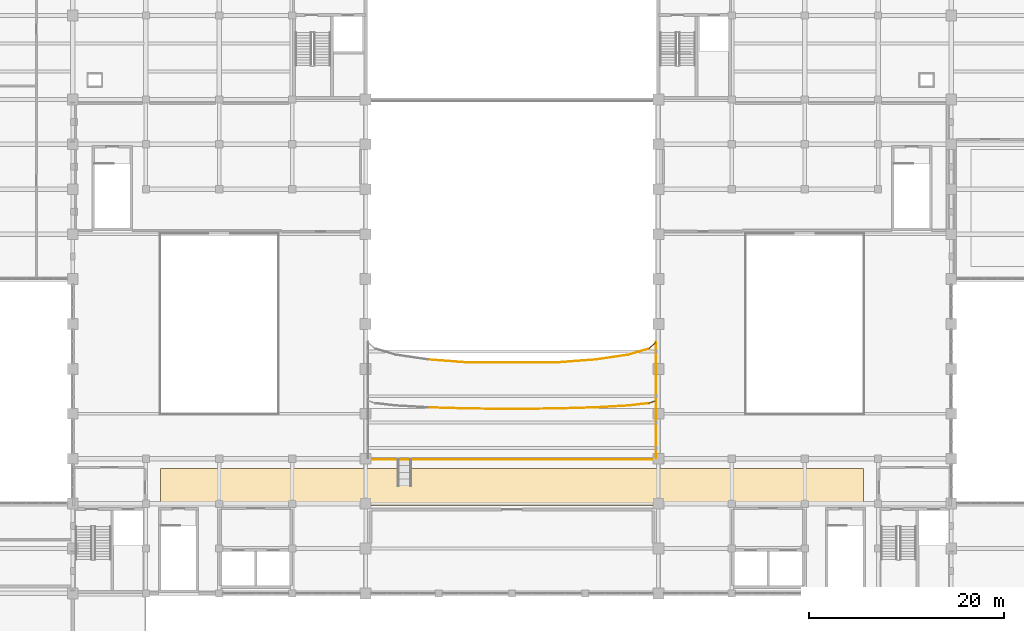
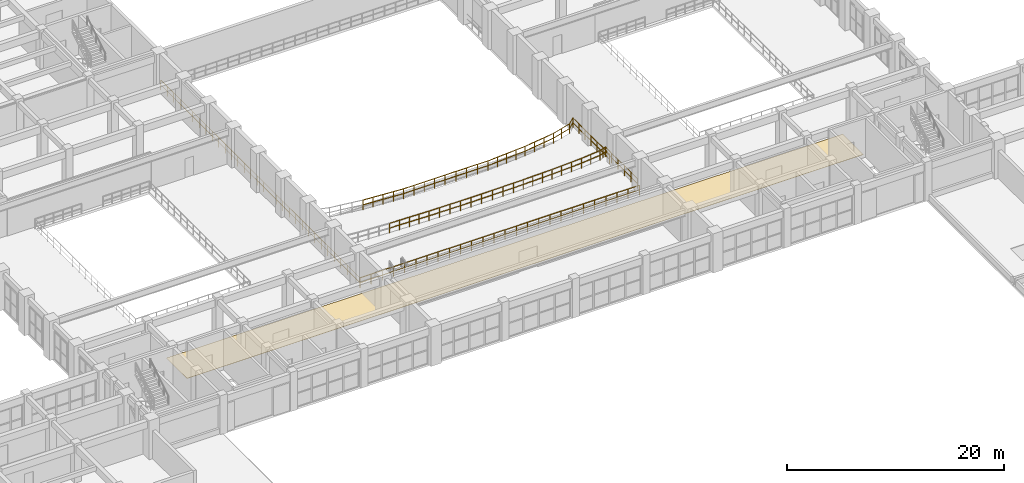
# One storey, part 85 of 90: 18 railings, 1 covering.
"""IFC4 building model written with IfcOpenShell, lengths in metres."""

import ifcopenshell
import ifcopenshell.guid

model = None  # the IFC model being written
_history = None  # IfcOwnerHistory: only IFC2X3 demands one
_inside = {}  # id of a spatial element -> (the spatial element, [elements in it])
_under = {}  # id of a project, library or spatial element -> (it, [spatial elements below it])
_declared = {}  # id of a project -> (the project, [libraries it declares])
_typed = {}  # id of a type object -> (the type object, [elements of that type])
_made_of = {}  # id of a material, layer set ... -> (it, [elements and type objects made of it])


def new_model(schema):
    """Start an empty IFC model of exactly this schema.

    Asked for "IFC4X3", IfcOpenShell would pick the latest addendum, in which some entities
    have other attributes; the version numbers below select the first issue.
    IFC2X3 requires an IfcOwnerHistory on every rooted entity: one is made here for all.
    """
    global model, _history
    if schema == "IFC4X3":
        model = ifcopenshell.file(schema_version=(4, 3, 0, 0))
    else:
        model = ifcopenshell.file(schema=schema)
    _inside.clear()
    _under.clear()
    _declared.clear()
    _typed.clear()
    _made_of.clear()
    _history = None
    if model.schema == "IFC2X3":
        org = make("IfcOrganization", Name="unknown")
        user = make(
            "IfcPersonAndOrganization",
            ThePerson=make("IfcPerson", FamilyName="unknown"),
            TheOrganization=org,
        )
        app = make(
            "IfcApplication",
            ApplicationDeveloper=org,
            Version="unknown",
            ApplicationFullName="unknown",
            ApplicationIdentifier="unknown",
        )
        _history = make(
            "IfcOwnerHistory",
            OwningUser=user,
            OwningApplication=app,
            ChangeAction="ADDED",
            CreationDate=0,
        )
    return model


def make(cls, **values):
    """One entity of the class cls with the attributes given. An attribute that is None is left unset."""
    return model.create_entity(
        cls, **{name: value for name, value in values.items() if value is not None}
    )


def rooted(cls, **values):
    """An entity with a GlobalId (a new one), such as an element, a storey or a relation."""
    return make(cls, GlobalId=ifcopenshell.guid.new(), OwnerHistory=_history, **values)


def si_unit(unit_type, name, prefix=None):
    """IfcSIUnit, for example si_unit("LENGTHUNIT", "METRE", prefix="MILLI")."""
    return make("IfcSIUnit", UnitType=unit_type, Prefix=prefix, Name=name)


def assignment(units):
    """IfcUnitAssignment: the units of a project."""
    return None if units is None else make("IfcUnitAssignment", Units=units)


def point(xyz):
    """IfcCartesianPoint."""
    return None if xyz is None else make("IfcCartesianPoint", Coordinates=xyz)


def direction(xyz):
    """IfcDirection."""
    return None if xyz is None else make("IfcDirection", DirectionRatios=xyz)


def frame(location, z_axis=None, x_axis=None):
    """IfcAxis2Placement3D, a coordinate frame: its origin and axes. An axis left out is left unset."""
    return make(
        "IfcAxis2Placement3D",
        Location=point(location),
        Axis=direction(z_axis),
        RefDirection=direction(x_axis),
    )


def frame_2d(location, x_axis=None):
    """IfcAxis2Placement2D, a coordinate frame in the plane: its origin and x axis."""
    return make(
        "IfcAxis2Placement2D", Location=point(location), RefDirection=direction(x_axis)
    )


def origin():
    """The frame at (0, 0, 0) with its axes left unset."""
    return frame((0.0, 0.0, 0.0))


def origin_2d():
    """The frame at (0, 0) in the plane with its x axis left unset."""
    return frame_2d((0.0, 0.0))


def place(relative_to, where):
    """IfcLocalPlacement: puts the frame where relative to a parent placement (None: the world)."""
    return make(
        "IfcLocalPlacement", PlacementRelTo=relative_to, RelativePlacement=where
    )


def context(
    kind, dimensions, precision=None, world=None, true_north=None, identifier=None
):
    """IfcGeometricRepresentationContext, for example the 3D "Model" context."""
    return make(
        "IfcGeometricRepresentationContext",
        ContextIdentifier=identifier,
        ContextType=kind,
        CoordinateSpaceDimension=dimensions,
        Precision=precision,
        WorldCoordinateSystem=world,
        TrueNorth=true_north,
    )


def subcontext(parent, identifier, kind, view, scale=None):
    """IfcGeometricRepresentationSubContext, for example "Body" below "Model"."""
    return make(
        "IfcGeometricRepresentationSubContext",
        ContextIdentifier=identifier,
        ContextType=kind,
        ParentContext=parent,
        TargetScale=scale,
        TargetView=view,
    )


def project(units=None, contexts=None):
    """IfcProject with its units and contexts."""
    return rooted(
        "IfcProject",
        Name="project",
        RepresentationContexts=contexts,
        UnitsInContext=assignment(units),
    )


def spatial(cls, under=None, at=None, **own):
    """A site, building, storey or space (cls), placed at a placement, below another one or the project."""
    s = rooted(cls, ObjectPlacement=at, **own)
    if under is not None:
        _under.setdefault(under.id(), (under, []))[1].append(s)
    return s


def polyline(points):
    """IfcPolyline through the points."""
    return make("IfcPolyline", Points=[point(p) for p in points])


def profile(cls, at=None, kind="AREA", **sizes):
    """A parametric profile (cls). Its sizes go by their IFC names, for example OverallWidth=200.0."""
    return make(cls, ProfileType=kind, Position=at, **sizes)


def circle(**sizes):
    """IfcCircleProfileDef."""
    return profile("IfcCircleProfileDef", **sizes)


def outline(outer, holes=None, kind="AREA"):
    """IfcArbitraryClosedProfileDef: a profile drawn as a closed curve; with holes, ...WithVoids."""
    if holes is None:
        return make("IfcArbitraryClosedProfileDef", ProfileType=kind, OuterCurve=outer)
    return make(
        "IfcArbitraryProfileDefWithVoids",
        ProfileType=kind,
        OuterCurve=outer,
        InnerCurves=holes,
    )


def extrude(swept, where, along, depth):
    """IfcExtrudedAreaSolid: the profile swept, set in the frame where, extruded along a direction by depth."""
    return make(
        "IfcExtrudedAreaSolid",
        SweptArea=swept,
        Position=where,
        ExtrudedDirection=direction(along),
        Depth=depth,
    )


def shape(context_of_items, identifier, shape_type, items):
    """IfcShapeRepresentation: the items that make up one representation, for example the "Body"."""
    return make(
        "IfcShapeRepresentation",
        ContextOfItems=context_of_items,
        RepresentationIdentifier=identifier,
        RepresentationType=shape_type,
        Items=items,
    )


def material(Name=None, Category=None):
    """IfcMaterial."""
    return make("IfcMaterial", Name=Name, Category=Category)


def layer(
    of_material, thickness, ventilated=None, Name=None, Category=None, Priority=None
):
    """IfcMaterialLayer: one layer of a wall or slab, of a material (None: an air gap)."""
    return make(
        "IfcMaterialLayer",
        Material=of_material,
        LayerThickness=thickness,
        IsVentilated=ventilated,
        Name=Name,
        Category=Category,
        Priority=Priority,
    )


def layer_set(layers, Name=None):
    """IfcMaterialLayerSet."""
    return make("IfcMaterialLayerSet", MaterialLayers=layers, LayerSetName=Name)


def made_of(thing, what):
    """Note that an element or type object is made of a material, layer set ...; save() writes the relation."""
    if what is not None:
        _made_of.setdefault(what.id(), (what, []))[1].append(thing)
    return thing


def type_object(cls, material=None, **own):
    """A type object (cls), such as IfcWallType, which elements share."""
    return made_of(rooted(cls, **own), material)


def element(
    cls,
    number,
    at=None,
    inside=None,
    cuts=None,
    type_object=None,
    material=None,
    context=None,
    identifier="Body",
    shape_type=None,
    held_by="IfcProductDefinitionShape",
    body=None,
    shapes=None,
    **own,
):
    """One element of the class cls, such as IfcWall. Its Tag is "e" and its number.

    at: its placement. inside: the storey or other place that contains it. cuts: it is an
    opening in that element (IfcRelVoidsElement). A single representation is given by context,
    identifier, shape_type and body (its items); several are given by shapes. held_by: the class
    of the entity that holds the representations. save() writes the other relations.
    """
    e = rooted(cls, Tag="e%d" % number, ObjectPlacement=at, **own)
    if body is not None:
        shapes = [shape(context, identifier, shape_type, body)]
    if shapes is not None:
        e.Representation = make(held_by, Representations=shapes)
    if inside is not None:
        _inside.setdefault(inside.id(), (inside, []))[1].append(e)
    if cuts is not None:
        rooted(
            "IfcRelVoidsElement", RelatingBuildingElement=cuts, RelatedOpeningElement=e
        )
    if type_object is not None:
        _typed.setdefault(type_object.id(), (type_object, []))[1].append(e)
    return made_of(e, material)


def aggregate(whole, parts):
    """IfcRelAggregates: a whole, such as a stair, and the parts it consists of."""
    return rooted("IfcRelAggregates", RelatingObject=whole, RelatedObjects=parts)


def save(model, path):
    """Write the relations noted so far, then the file.

    IfcRelAggregates (storeys below a building ...), IfcRelContainedInSpatialStructure (elements
    in a storey), IfcRelDefinesByType, IfcRelAssociatesMaterial and IfcRelDeclares: one each for
    every whole, place, type object, material and project.
    """
    for whole, parts in _under.values():
        aggregate(whole, parts)
    for where, things in _inside.values():
        rooted(
            "IfcRelContainedInSpatialStructure",
            RelatedElements=things,
            RelatingStructure=where,
        )
    for kind, things in _typed.values():
        rooted("IfcRelDefinesByType", RelatedObjects=things, RelatingType=kind)
    for what, things in _made_of.values():
        rooted("IfcRelAssociatesMaterial", RelatedObjects=things, RelatingMaterial=what)
    for by, libraries in _declared.values():
        rooted("IfcRelDeclares", RelatingContext=by, RelatedDefinitions=libraries)
    model.write(path)


model = new_model("IFC4")

# Units and contexts
model_context = context("Model", 3, precision=1e-05, world=origin(), true_north=direction((0.0, 1.0)))
body_context = subcontext(model_context, "Body", "Model", "MODEL_VIEW")
ifc_project = project(units=[si_unit("LENGTHUNIT", "METRE"), si_unit("AREAUNIT", "SQUARE_METRE"), si_unit("VOLUMEUNIT", "CUBIC_METRE"), si_unit("PLANEANGLEUNIT", "RADIAN"), si_unit("MASSUNIT", "GRAM", prefix="KILO")], contexts=[model_context])

# Site, building, storey
site_placement = place(None, origin())
site = spatial("IfcSite", under=ifc_project, at=site_placement, CompositionType="ELEMENT")
building_placement = place(site_placement, origin())
building = spatial("IfcBuilding", under=site, at=building_placement, Name="Muzn Square Opera House", CompositionType="ELEMENT")
storey_placement = place(building_placement, frame((0.0, 0.0, 9.800048828125)))
storey = spatial("IfcBuildingStorey", under=building, at=storey_placement, Name="L02", CompositionType="ELEMENT", Elevation=9.800048828125)

# Railings
ifc_material_1 = material(Name="Architectural bronze mashrabiya", Category="metal")
railing_type = type_object("IfcRailingType", Name="Bronze Protective Balustrade 1120mm", PredefinedType="BALUSTRADE", material=ifc_material_1)
railing_1_placement = place(storey_placement, frame((73.1298828125, 35.719970703125, 0.0)))
element("IfcRailing", 1, at=railing_1_placement, inside=storey, type_object=railing_type, Name="Void Edge Balustrade L02-0029", PredefinedType="BALUSTRADE", context=body_context, shape_type="SweptSolid", body=[
    extrude(circle(Radius=0.02392578125, at=origin_2d()), frame((0.0, 0.0, 1.09619140625), z_axis=(1.0, 0.0, 0.0), x_axis=(0.0, 1.0, 0.0)), (0.0, 0.0, 1.0), 29.740234375),
    extrude(circle(Radius=0.02392578125, at=origin_2d()), frame((0.0, 0.0, 0.56005859375), z_axis=(1.0, 0.0, 0.0), x_axis=(0.0, 1.0, 0.0)), (0.0, 0.0, 1.0), 29.740234375),
    extrude(circle(Radius=0.02099609375, at=origin_2d()), origin(), (0.0, 0.0, 1.0), 1.072021484375),
    extrude(circle(Radius=0.02099609375, at=origin_2d()), frame((1.189697265625, 0.0, 0.0)), (0.0, 0.0, 1.0), 1.072021484375),
    extrude(circle(Radius=0.02099609375, at=origin_2d()), frame((2.379150390625, 0.0, 0.0)), (0.0, 0.0, 1.0), 1.072021484375),
    extrude(circle(Radius=0.02099609375, at=origin_2d()), frame((3.56884765625, 0.0, 0.0)), (0.0, 0.0, 1.0), 1.072021484375),
    extrude(circle(Radius=0.02099609375, at=origin_2d()), frame((4.758544921875, 0.0, 0.0)), (0.0, 0.0, 1.0), 1.072021484375),
    extrude(circle(Radius=0.02099609375, at=origin_2d()), frame((5.947998046875, 0.0, 0.0)), (0.0, 0.0, 1.0), 1.072021484375),
    extrude(circle(Radius=0.02099609375, at=origin_2d()), frame((7.1376953125, 0.0, 0.0)), (0.0, 0.0, 1.0), 1.072021484375),
    extrude(circle(Radius=0.02099609375, at=origin_2d()), frame((8.3271484375, 0.0, 0.0)), (0.0, 0.0, 1.0), 1.072021484375),
    extrude(circle(Radius=0.02099609375, at=origin_2d()), frame((9.516845703125, 0.0, 0.0)), (0.0, 0.0, 1.0), 1.072021484375),
    extrude(circle(Radius=0.02099609375, at=origin_2d()), frame((10.70654296875, 0.0, 0.0)), (0.0, 0.0, 1.0), 1.072021484375),
    extrude(circle(Radius=0.02099609375, at=origin_2d()), frame((11.89599609375, 0.0, 0.0)), (0.0, 0.0, 1.0), 1.072021484375),
    extrude(circle(Radius=0.02099609375, at=origin_2d()), frame((13.085693359375, 0.0, 0.0)), (0.0, 0.0, 1.0), 1.072021484375),
    extrude(circle(Radius=0.02099609375, at=origin_2d()), frame((14.275390625, 0.0, 0.0)), (0.0, 0.0, 1.0), 1.072021484375),
    extrude(circle(Radius=0.02099609375, at=origin_2d()), frame((15.46484375, 0.0, 0.0)), (0.0, 0.0, 1.0), 1.072021484375),
    extrude(circle(Radius=0.02099609375, at=origin_2d()), frame((16.654541015625, 0.0, 0.0)), (0.0, 0.0, 1.0), 1.072021484375),
    extrude(circle(Radius=0.02099609375, at=origin_2d()), frame((17.84423828125, 0.0, 0.0)), (0.0, 0.0, 1.0), 1.072021484375),
    extrude(circle(Radius=0.02099609375, at=origin_2d()), frame((19.03369140625, 0.0, 0.0)), (0.0, 0.0, 1.0), 1.072021484375),
    extrude(circle(Radius=0.02099609375, at=origin_2d()), frame((20.223388671875, 0.0, 0.0)), (0.0, 0.0, 1.0), 1.072021484375),
    extrude(circle(Radius=0.02099609375, at=origin_2d()), frame((21.4130859375, 0.0, 0.0)), (0.0, 0.0, 1.0), 1.072021484375),
    extrude(circle(Radius=0.02099609375, at=origin_2d()), frame((22.6025390625, 0.0, 0.0)), (0.0, 0.0, 1.0), 1.072021484375),
    extrude(circle(Radius=0.02099609375, at=origin_2d()), frame((23.792236328125, 0.0, 0.0)), (0.0, 0.0, 1.0), 1.072021484375),
    extrude(circle(Radius=0.02099609375, at=origin_2d()), frame((24.981689453125, 0.0, 0.0)), (0.0, 0.0, 1.0), 1.072021484375),
    extrude(circle(Radius=0.02099609375, at=origin_2d()), frame((26.17138671875, 0.0, 0.0)), (0.0, 0.0, 1.0), 1.072021484375),
    extrude(circle(Radius=0.02099609375, at=origin_2d()), frame((27.361083984375, 0.0, 0.0)), (0.0, 0.0, 1.0), 1.072021484375),
    extrude(circle(Radius=0.02099609375, at=origin_2d()), frame((28.550537109375, 0.0, 0.0)), (0.0, 0.0, 1.0), 1.072021484375),
    extrude(circle(Radius=0.02099609375, at=origin_2d()), frame((29.740234375, 0.0, 0.0)), (0.0, 0.0, 1.0), 1.072021484375),
])
railing_2_placement = place(storey_placement, frame((73.1298828125, 72.429931640625, 0.0)))
element("IfcRailing", 2, at=railing_2_placement, inside=storey, type_object=railing_type, Name="Void Edge Balustrade L02-0032", PredefinedType="BALUSTRADE", context=body_context, shape_type="SweptSolid", body=[
    extrude(circle(Radius=0.02392578125, at=origin_2d()), frame((0.0, 0.0, 1.09619140625), z_axis=(0.0, -1.0, 0.0), x_axis=(1.0, 0.0, 0.0)), (0.0, 0.0, 1.0), 36.7099609375),
    extrude(circle(Radius=0.02392578125, at=origin_2d()), frame((0.0, 0.0, 0.56005859375), z_axis=(0.0, -1.0, 0.0), x_axis=(1.0, 0.0, 0.0)), (0.0, 0.0, 1.0), 36.7099609375),
    extrude(circle(Radius=0.02099609375, at=origin_2d()), origin(), (0.0, 0.0, 1.0), 1.072021484375),
    extrude(circle(Radius=0.02099609375, at=origin_2d()), frame((0.0, -1.18408203125, 0.0)), (0.0, 0.0, 1.0), 1.072021484375),
    extrude(circle(Radius=0.02099609375, at=origin_2d()), frame((0.0, -2.368408203125, 0.0)), (0.0, 0.0, 1.0), 1.072021484375),
    extrude(circle(Radius=0.02099609375, at=origin_2d()), frame((0.0, -3.552490234375, 0.0)), (0.0, 0.0, 1.0), 1.072021484375),
    extrude(circle(Radius=0.02099609375, at=origin_2d()), frame((0.0, -4.73681640625, 0.0)), (0.0, 0.0, 1.0), 1.072021484375),
    extrude(circle(Radius=0.02099609375, at=origin_2d()), frame((0.0, -5.9208984375, 0.0)), (0.0, 0.0, 1.0), 1.072021484375),
    extrude(circle(Radius=0.02099609375, at=origin_2d()), frame((0.0, -7.105224609375, 0.0)), (0.0, 0.0, 1.0), 1.072021484375),
    extrude(circle(Radius=0.02099609375, at=origin_2d()), frame((0.0, -8.289306640625, 0.0)), (0.0, 0.0, 1.0), 1.072021484375),
    extrude(circle(Radius=0.02099609375, at=origin_2d()), frame((0.0, -9.4736328125, 0.0)), (0.0, 0.0, 1.0), 1.072021484375),
    extrude(circle(Radius=0.02099609375, at=origin_2d()), frame((0.0, -10.65771484375, 0.0)), (0.0, 0.0, 1.0), 1.072021484375),
    extrude(circle(Radius=0.02099609375, at=origin_2d()), frame((0.0, -11.842041015625, 0.0)), (0.0, 0.0, 1.0), 1.072021484375),
    extrude(circle(Radius=0.02099609375, at=origin_2d()), frame((0.0, -13.026123046875, 0.0)), (0.0, 0.0, 1.0), 1.072021484375),
    extrude(circle(Radius=0.02099609375, at=origin_2d()), frame((0.0, -14.210205078125, 0.0)), (0.0, 0.0, 1.0), 1.072021484375),
    extrude(circle(Radius=0.02099609375, at=origin_2d()), frame((0.0, -15.39453125, 0.0)), (0.0, 0.0, 1.0), 1.072021484375),
    extrude(circle(Radius=0.02099609375, at=origin_2d()), frame((0.0, -16.57861328125, 0.0)), (0.0, 0.0, 1.0), 1.072021484375),
    extrude(circle(Radius=0.02099609375, at=origin_2d()), frame((0.0, -17.762939453125, 0.0)), (0.0, 0.0, 1.0), 1.072021484375),
    extrude(circle(Radius=0.02099609375, at=origin_2d()), frame((0.0, -18.947021484375, 0.0)), (0.0, 0.0, 1.0), 1.072021484375),
    extrude(circle(Radius=0.02099609375, at=origin_2d()), frame((0.0, -20.13134765625, 0.0)), (0.0, 0.0, 1.0), 1.072021484375),
    extrude(circle(Radius=0.02099609375, at=origin_2d()), frame((0.0, -21.3154296875, 0.0)), (0.0, 0.0, 1.0), 1.072021484375),
    extrude(circle(Radius=0.02099609375, at=origin_2d()), frame((0.0, -22.499755859375, 0.0)), (0.0, 0.0, 1.0), 1.072021484375),
    extrude(circle(Radius=0.02099609375, at=origin_2d()), frame((0.0, -23.683837890625, 0.0)), (0.0, 0.0, 1.0), 1.072021484375),
    extrude(circle(Radius=0.02099609375, at=origin_2d()), frame((0.0, -24.867919921875, 0.0)), (0.0, 0.0, 1.0), 1.072021484375),
    extrude(circle(Radius=0.02099609375, at=origin_2d()), frame((0.0, -26.05224609375, 0.0)), (0.0, 0.0, 1.0), 1.072021484375),
    extrude(circle(Radius=0.02099609375, at=origin_2d()), frame((0.0, -27.236328125, 0.0)), (0.0, 0.0, 1.0), 1.072021484375),
    extrude(circle(Radius=0.02099609375, at=origin_2d()), frame((0.0, -28.420654296875, 0.0)), (0.0, 0.0, 1.0), 1.072021484375),
    extrude(circle(Radius=0.02099609375, at=origin_2d()), frame((0.0, -29.604736328125, 0.0)), (0.0, 0.0, 1.0), 1.072021484375),
    extrude(circle(Radius=0.02099609375, at=origin_2d()), frame((0.0, -30.7890625, 0.0)), (0.0, 0.0, 1.0), 1.072021484375),
    extrude(circle(Radius=0.02099609375, at=origin_2d()), frame((0.0, -31.97314453125, 0.0)), (0.0, 0.0, 1.0), 1.072021484375),
    extrude(circle(Radius=0.02099609375, at=origin_2d()), frame((0.0, -33.157470703125, 0.0)), (0.0, 0.0, 1.0), 1.072021484375),
    extrude(circle(Radius=0.02099609375, at=origin_2d()), frame((0.0, -34.341552734375, 0.0)), (0.0, 0.0, 1.0), 1.072021484375),
    extrude(circle(Radius=0.02099609375, at=origin_2d()), frame((0.0, -35.52587890625, 0.0)), (0.0, 0.0, 1.0), 1.072021484375),
    extrude(circle(Radius=0.02099609375, at=origin_2d()), frame((0.0, -36.7099609375, 0.0)), (0.0, 0.0, 1.0), 1.072021484375),
])
railing_3_placement = place(storey_placement, frame((102.72998046875, 35.860107421875, 0.719970703125)))
element("IfcRailing", 3, at=railing_3_placement, inside=storey, type_object=railing_type, Name="Auditorium Balcony Tier Front Balustrade L02-0119", PredefinedType="BALUSTRADE", context=body_context, shape_type="SweptSolid", body=[
    extrude(circle(Radius=0.02392578125, at=origin_2d()), frame((0.0, 0.0, 1.09619140625), z_axis=(0.0, 1.0, 0.0), x_axis=(-1.0, 0.0, 0.0)), (0.0, 0.0, 1.0), 5.8798828125),
    extrude(circle(Radius=0.02392578125, at=origin_2d()), frame((0.0, 0.0, 0.56005859375), z_axis=(0.0, 1.0, 0.0), x_axis=(-1.0, 0.0, 0.0)), (0.0, 0.0, 1.0), 5.8798828125),
    extrude(circle(Radius=0.02099609375, at=origin_2d()), origin(), (0.0, 0.0, 1.0), 1.072021484375),
    extrude(circle(Radius=0.02099609375, at=origin_2d()), frame((0.0, 1.176025390625, 0.0)), (0.0, 0.0, 1.0), 1.072021484375),
    extrude(circle(Radius=0.02099609375, at=origin_2d()), frame((0.0, 2.35205078125, 0.0)), (0.0, 0.0, 1.0), 1.072021484375),
    extrude(circle(Radius=0.02099609375, at=origin_2d()), frame((0.0, 3.52783203125, 0.0)), (0.0, 0.0, 1.0), 1.072021484375),
    extrude(circle(Radius=0.02099609375, at=origin_2d()), frame((0.0, 4.703857421875, 0.0)), (0.0, 0.0, 1.0), 1.072021484375),
    extrude(circle(Radius=0.02099609375, at=origin_2d()), frame((0.0, 5.8798828125, 0.0)), (0.0, 0.0, 1.0), 1.072021484375),
])
railing_4_placement = place(storey_placement, frame((102.72998046875, 41.739990234375, 0.719970703125)))
element("IfcRailing", 4, at=railing_4_placement, inside=storey, type_object=railing_type, Name="Auditorium Balcony Tier Front Balustrade L02-0120", PredefinedType="BALUSTRADE", context=body_context, shape_type="SweptSolid", body=[
    extrude(circle(Radius=0.02392578125, at=origin_2d()), frame((0.0, 0.0, 1.09619140625), z_axis=(-0.940015382387, -0.341132057824, 0.0), x_axis=(0.341132057824, -0.940015382387, 0.0)), (0.0, 0.0, 1.0), 0.77001953125),
    extrude(circle(Radius=0.02392578125, at=origin_2d()), frame((0.0, 0.0, 0.56005859375), z_axis=(-0.940015382387, -0.341132057824, 0.0), x_axis=(0.341132057824, -0.940015382387, 0.0)), (0.0, 0.0, 1.0), 0.77001953125),
    extrude(circle(Radius=0.02099609375, at=origin_2d()), origin(), (0.0, 0.0, 1.0), 1.072021484375),
    extrude(circle(Radius=0.02099609375, at=origin_2d()), frame((-0.723876953125, -0.2626953125, 0.0)), (0.0, 0.0, 1.0), 1.072021484375),
])
railing_5_placement = place(storey_placement, frame((102.006103515625, 41.477294921875, 0.719970703125)))
element("IfcRailing", 5, at=railing_5_placement, inside=storey, type_object=railing_type, Name="Auditorium Balcony Tier Front Balustrade L02-0121", PredefinedType="BALUSTRADE", context=body_context, shape_type="SweptSolid", body=[
    extrude(circle(Radius=0.02392578125, at=origin_2d()), frame((0.0, 0.0, 1.09619140625), z_axis=(-0.99370498589, -0.112028572328, 0.0), x_axis=(0.112028572328, -0.99370498589, 0.0)), (0.0, 0.0, 1.0), 2.114013671875),
    extrude(circle(Radius=0.02392578125, at=origin_2d()), frame((0.0, 0.0, 0.56005859375), z_axis=(-0.99370498589, -0.112028572328, 0.0), x_axis=(0.112028572328, -0.99370498589, 0.0)), (0.0, 0.0, 1.0), 2.114013671875),
    extrude(circle(Radius=0.02099609375, at=origin_2d()), origin(), (0.0, 0.0, 1.0), 1.072021484375),
    extrude(circle(Radius=0.02099609375, at=origin_2d()), frame((-1.05029296875, -0.118408203125, 0.0)), (0.0, 0.0, 1.0), 1.072021484375),
    extrude(circle(Radius=0.02099609375, at=origin_2d()), frame((-2.1005859375, -0.23681640625, 0.0)), (0.0, 0.0, 1.0), 1.072021484375),
])
railing_6_placement = place(storey_placement, frame((99.905517578125, 41.240478515625, 0.719970703125)))
element("IfcRailing", 6, at=railing_6_placement, inside=storey, type_object=railing_type, Name="Auditorium Balcony Tier Front Balustrade L02-0122", PredefinedType="BALUSTRADE", context=body_context, shape_type="SweptSolid", body=[
    extrude(circle(Radius=0.02392578125, at=origin_2d()), frame((0.0, 0.0, 1.09619140625), z_axis=(-0.998349564614, -0.057429494465, 0.0), x_axis=(0.057429494465, -0.998349564614, 0.0)), (0.0, 0.0, 1.0), 3.277587890625),
    extrude(circle(Radius=0.02392578125, at=origin_2d()), frame((0.0, 0.0, 0.56005859375), z_axis=(-0.998349564614, -0.057429494465, 0.0), x_axis=(0.057429494465, -0.998349564614, 0.0)), (0.0, 0.0, 1.0), 3.277587890625),
    extrude(circle(Radius=0.02099609375, at=origin_2d()), origin(), (0.0, 0.0, 1.0), 1.072021484375),
    extrude(circle(Radius=0.02099609375, at=origin_2d()), frame((-1.0908203125, -0.062744140625, 0.0)), (0.0, 0.0, 1.0), 1.072021484375),
    extrude(circle(Radius=0.02099609375, at=origin_2d()), frame((-2.181396484375, -0.12548828125, 0.0)), (0.0, 0.0, 1.0), 1.072021484375),
    extrude(circle(Radius=0.02099609375, at=origin_2d()), frame((-3.272216796875, -0.188232421875, 0.0)), (0.0, 0.0, 1.0), 1.072021484375),
])
railing_7_placement = place(storey_placement, frame((96.63330078125, 41.05224609375, 0.719970703125)))
element("IfcRailing", 7, at=railing_7_placement, inside=storey, type_object=railing_type, Name="Auditorium Balcony Tier Front Balustrade L02-0123", PredefinedType="BALUSTRADE", context=body_context, shape_type="SweptSolid", body=[
    extrude(circle(Radius=0.02392578125, at=origin_2d()), frame((0.0, 0.0, 1.09619140625), z_axis=(-0.999572397468, -0.029240762974, 0.0), x_axis=(0.029240762974, -0.999572397468, 0.0)), (0.0, 0.0, 1.0), 4.12451171875),
    extrude(circle(Radius=0.02392578125, at=origin_2d()), frame((0.0, 0.0, 0.56005859375), z_axis=(-0.999572397468, -0.029240762974, 0.0), x_axis=(0.029240762974, -0.999572397468, 0.0)), (0.0, 0.0, 1.0), 4.12451171875),
    extrude(circle(Radius=0.02099609375, at=origin_2d()), origin(), (0.0, 0.0, 1.0), 1.072021484375),
    extrude(circle(Radius=0.02099609375, at=origin_2d()), frame((-1.03076171875, -0.0302734375, 0.0)), (0.0, 0.0, 1.0), 1.072021484375),
    extrude(circle(Radius=0.02099609375, at=origin_2d()), frame((-2.0615234375, -0.060302734375, 0.0)), (0.0, 0.0, 1.0), 1.072021484375),
    extrude(circle(Radius=0.02099609375, at=origin_2d()), frame((-3.092041015625, -0.09033203125, 0.0)), (0.0, 0.0, 1.0), 1.072021484375),
    extrude(circle(Radius=0.02099609375, at=origin_2d()), frame((-4.122802734375, -0.12060546875, 0.0)), (0.0, 0.0, 1.0), 1.072021484375),
])
railing_8_placement = place(storey_placement, frame((92.510498046875, 40.931640625, 0.719970703125)))
element("IfcRailing", 8, at=railing_8_placement, inside=storey, type_object=railing_type, Name="Auditorium Balcony Tier Front Balustrade L02-0124", PredefinedType="BALUSTRADE", context=body_context, shape_type="SweptSolid", body=[
    extrude(circle(Radius=0.02392578125, at=origin_2d()), frame((0.0, 0.0, 1.09619140625), z_axis=(-0.999958286468, -0.009133746434, 0.0), x_axis=(0.009133746434, -0.999958286468, 0.0)), (0.0, 0.0, 1.0), 4.57080078125),
    extrude(circle(Radius=0.02392578125, at=origin_2d()), frame((0.0, 0.0, 0.56005859375), z_axis=(-0.999958286468, -0.009133746434, 0.0), x_axis=(0.009133746434, -0.999958286468, 0.0)), (0.0, 0.0, 1.0), 4.57080078125),
    extrude(circle(Radius=0.02099609375, at=origin_2d()), origin(), (0.0, 0.0, 1.0), 1.072021484375),
    extrude(circle(Radius=0.02099609375, at=origin_2d()), frame((-1.142578125, -0.010498046875, 0.0)), (0.0, 0.0, 1.0), 1.072021484375),
    extrude(circle(Radius=0.02099609375, at=origin_2d()), frame((-2.28515625, -0.02099609375, 0.0)), (0.0, 0.0, 1.0), 1.072021484375),
    extrude(circle(Radius=0.02099609375, at=origin_2d()), frame((-3.427978515625, -0.03125, 0.0)), (0.0, 0.0, 1.0), 1.072021484375),
    extrude(circle(Radius=0.02099609375, at=origin_2d()), frame((-4.570556640625, -0.041748046875, 0.0)), (0.0, 0.0, 1.0), 1.072021484375),
])
railing_9_placement = place(storey_placement, frame((87.93994140625, 40.889892578125, 0.719970703125)))
element("IfcRailing", 9, at=railing_9_placement, inside=storey, type_object=railing_type, Name="Auditorium Balcony Tier Front Balustrade L02-0125", PredefinedType="BALUSTRADE", context=body_context, shape_type="SweptSolid", body=[
    extrude(circle(Radius=0.02392578125, at=origin_2d()), frame((0.0, 0.0, 1.09619140625), z_axis=(-0.999956004539, 0.009380244488, 0.0), x_axis=(-0.009380244488, -0.999956004539, 0.0)), (0.0, 0.0, 1.0), 4.45068359375),
    extrude(circle(Radius=0.02392578125, at=origin_2d()), frame((0.0, 0.0, 0.56005859375), z_axis=(-0.999956004539, 0.009380244488, 0.0), x_axis=(-0.009380244488, -0.999956004539, 0.0)), (0.0, 0.0, 1.0), 4.45068359375),
    extrude(circle(Radius=0.02099609375, at=origin_2d()), origin(), (0.0, 0.0, 1.0), 1.072021484375),
    extrude(circle(Radius=0.02099609375, at=origin_2d()), frame((-1.112548828125, 0.010498046875, 0.0)), (0.0, 0.0, 1.0), 1.072021484375),
    extrude(circle(Radius=0.02099609375, at=origin_2d()), frame((-2.22509765625, 0.02099609375, 0.0)), (0.0, 0.0, 1.0), 1.072021484375),
    extrude(circle(Radius=0.02099609375, at=origin_2d()), frame((-3.337890625, 0.03125, 0.0)), (0.0, 0.0, 1.0), 1.072021484375),
    extrude(circle(Radius=0.02099609375, at=origin_2d()), frame((-4.450439453125, 0.041748046875, 0.0)), (0.0, 0.0, 1.0), 1.072021484375),
])
railing_10_placement = place(storey_placement, frame((83.489501953125, 40.931640625, 0.719970703125)))
element("IfcRailing", 10, at=railing_10_placement, inside=storey, type_object=railing_type, Name="Auditorium Balcony Tier Front Balustrade L02-0126", PredefinedType="BALUSTRADE", context=body_context, shape_type="SweptSolid", body=[
    extrude(circle(Radius=0.02392578125, at=origin_2d()), frame((0.0, 0.0, 1.09619140625), z_axis=(-0.999572397468, 0.029240762974, 0.0), x_axis=(-0.029240762974, -0.999572397468, 0.0)), (0.0, 0.0, 1.0), 4.12451171875),
    extrude(circle(Radius=0.02392578125, at=origin_2d()), frame((0.0, 0.0, 0.56005859375), z_axis=(-0.999572397468, 0.029240762974, 0.0), x_axis=(-0.029240762974, -0.999572397468, 0.0)), (0.0, 0.0, 1.0), 4.12451171875),
    extrude(circle(Radius=0.02099609375, at=origin_2d()), origin(), (0.0, 0.0, 1.0), 1.072021484375),
    extrude(circle(Radius=0.02099609375, at=origin_2d()), frame((-1.03076171875, 0.0302734375, 0.0)), (0.0, 0.0, 1.0), 1.072021484375),
    extrude(circle(Radius=0.02099609375, at=origin_2d()), frame((-2.0615234375, 0.060302734375, 0.0)), (0.0, 0.0, 1.0), 1.072021484375),
    extrude(circle(Radius=0.02099609375, at=origin_2d()), frame((-3.092041015625, 0.09033203125, 0.0)), (0.0, 0.0, 1.0), 1.072021484375),
    extrude(circle(Radius=0.02099609375, at=origin_2d()), frame((-4.122802734375, 0.12060546875, 0.0)), (0.0, 0.0, 1.0), 1.072021484375),
])
railing_11_placement = place(storey_placement, frame((102.72998046875, 41.010009765625, 0.35986328125)))
element("IfcRailing", 11, at=railing_11_placement, inside=storey, type_object=railing_type, Name="Auditorium Balcony Tier Front Balustrade L02-0131", PredefinedType="BALUSTRADE", context=body_context, shape_type="SweptSolid", body=[
    extrude(circle(Radius=0.02392578125, at=origin_2d()), frame((0.0, 0.0, 1.09619140625), z_axis=(0.0, 1.0, 0.0), x_axis=(-1.0, 0.0, 0.0)), (0.0, 0.0, 1.0), 6.72998046875),
    extrude(circle(Radius=0.02392578125, at=origin_2d()), frame((0.0, 0.0, 0.56005859375), z_axis=(0.0, 1.0, 0.0), x_axis=(-1.0, 0.0, 0.0)), (0.0, 0.0, 1.0), 6.72998046875),
    extrude(circle(Radius=0.02099609375, at=origin_2d()), origin(), (0.0, 0.0, 1.0), 1.072021484375),
    extrude(circle(Radius=0.02099609375, at=origin_2d()), frame((0.0, 1.12158203125, 0.0)), (0.0, 0.0, 1.0), 1.072021484375),
    extrude(circle(Radius=0.02099609375, at=origin_2d()), frame((0.0, 2.243408203125, 0.0)), (0.0, 0.0, 1.0), 1.072021484375),
    extrude(circle(Radius=0.02099609375, at=origin_2d()), frame((0.0, 3.364990234375, 0.0)), (0.0, 0.0, 1.0), 1.072021484375),
    extrude(circle(Radius=0.02099609375, at=origin_2d()), frame((0.0, 4.486572265625, 0.0)), (0.0, 0.0, 1.0), 1.072021484375),
    extrude(circle(Radius=0.02099609375, at=origin_2d()), frame((0.0, 5.6083984375, 0.0)), (0.0, 0.0, 1.0), 1.072021484375),
    extrude(circle(Radius=0.02099609375, at=origin_2d()), frame((0.0, 6.72998046875, 0.0)), (0.0, 0.0, 1.0), 1.072021484375),
])
railing_12_placement = place(storey_placement, frame((102.72998046875, 47.739990234375, 0.35986328125)))
element("IfcRailing", 12, at=railing_12_placement, inside=storey, type_object=railing_type, Name="Auditorium Balcony Tier Front Balustrade L02-0132", PredefinedType="BALUSTRADE", context=body_context, shape_type="SweptSolid", body=[
    extrude(circle(Radius=0.02392578125, at=origin_2d()), frame((0.0, 0.0, 1.09619140625), z_axis=(-0.729007928433, -0.684505252195, 0.0), x_axis=(0.684505252195, -0.729007928433, 0.0)), (0.0, 0.0, 1.0), 0.992919921875),
    extrude(circle(Radius=0.02392578125, at=origin_2d()), frame((0.0, 0.0, 0.56005859375), z_axis=(-0.729007928433, -0.684505252195, 0.0), x_axis=(0.684505252195, -0.729007928433, 0.0)), (0.0, 0.0, 1.0), 0.992919921875),
    extrude(circle(Radius=0.02099609375, at=origin_2d()), origin(), (0.0, 0.0, 1.0), 1.072021484375),
    extrude(circle(Radius=0.02099609375, at=origin_2d()), frame((-0.723876953125, -0.6796875, 0.0)), (0.0, 0.0, 1.0), 1.072021484375),
])
railing_13_placement = place(storey_placement, frame((102.006103515625, 47.060302734375, 0.35986328125)))
element("IfcRailing", 13, at=railing_13_placement, inside=storey, type_object=railing_type, Name="Auditorium Balcony Tier Front Balustrade L02-0133", PredefinedType="BALUSTRADE", context=body_context, shape_type="SweptSolid", body=[
    extrude(circle(Radius=0.02392578125, at=origin_2d()), frame((0.0, 0.0, 1.09619140625), z_axis=(-0.959924992365, -0.280257041007, 0.0), x_axis=(0.280257041007, -0.959924992365, 0.0)), (0.0, 0.0, 1.0), 2.188232421875),
    extrude(circle(Radius=0.02392578125, at=origin_2d()), frame((0.0, 0.0, 0.56005859375), z_axis=(-0.959924992365, -0.280257041007, 0.0), x_axis=(0.280257041007, -0.959924992365, 0.0)), (0.0, 0.0, 1.0), 2.188232421875),
    extrude(circle(Radius=0.02099609375, at=origin_2d()), origin(), (0.0, 0.0, 1.0), 1.072021484375),
    extrude(circle(Radius=0.02099609375, at=origin_2d()), frame((-1.05029296875, -0.306640625, 0.0)), (0.0, 0.0, 1.0), 1.072021484375),
    extrude(circle(Radius=0.02099609375, at=origin_2d()), frame((-2.1005859375, -0.61328125, 0.0)), (0.0, 0.0, 1.0), 1.072021484375),
])
railing_14_placement = place(storey_placement, frame((99.905517578125, 46.447021484375, 0.35986328125)))
element("IfcRailing", 14, at=railing_14_placement, inside=storey, type_object=railing_type, Name="Auditorium Balcony Tier Front Balustrade L02-0134", PredefinedType="BALUSTRADE", context=body_context, shape_type="SweptSolid", body=[
    extrude(circle(Radius=0.02392578125, at=origin_2d()), frame((0.0, 0.0, 1.09619140625), z_axis=(-0.989113729581, -0.147153083398, 0.0), x_axis=(0.147153083398, -0.989113729581, 0.0)), (0.0, 0.0, 1.0), 3.308349609375),
    extrude(circle(Radius=0.02392578125, at=origin_2d()), frame((0.0, 0.0, 0.56005859375), z_axis=(-0.989113729581, -0.147153083398, 0.0), x_axis=(0.147153083398, -0.989113729581, 0.0)), (0.0, 0.0, 1.0), 3.308349609375),
    extrude(circle(Radius=0.02099609375, at=origin_2d()), origin(), (0.0, 0.0, 1.0), 1.072021484375),
    extrude(circle(Radius=0.02099609375, at=origin_2d()), frame((-1.0908203125, -0.162353515625, 0.0)), (0.0, 0.0, 1.0), 1.072021484375),
    extrude(circle(Radius=0.02099609375, at=origin_2d()), frame((-2.181396484375, -0.324462890625, 0.0)), (0.0, 0.0, 1.0), 1.072021484375),
    extrude(circle(Radius=0.02099609375, at=origin_2d()), frame((-3.272216796875, -0.48681640625, 0.0)), (0.0, 0.0, 1.0), 1.072021484375),
])
railing_15_placement = place(storey_placement, frame((96.63330078125, 45.960205078125, 0.35986328125)))
element("IfcRailing", 15, at=railing_15_placement, inside=storey, type_object=railing_type, Name="Auditorium Balcony Tier Front Balustrade L02-0135", PredefinedType="BALUSTRADE", context=body_context, shape_type="SweptSolid", body=[
    extrude(circle(Radius=0.02392578125, at=origin_2d()), frame((0.0, 0.0, 1.09619140625), z_axis=(-0.997139654641, -0.075581142769, 0.0), x_axis=(0.075581142769, -0.997139654641, 0.0)), (0.0, 0.0, 1.0), 4.134521484375),
    extrude(circle(Radius=0.02392578125, at=origin_2d()), frame((0.0, 0.0, 0.56005859375), z_axis=(-0.997139654641, -0.075581142769, 0.0), x_axis=(0.075581142769, -0.997139654641, 0.0)), (0.0, 0.0, 1.0), 4.134521484375),
    extrude(circle(Radius=0.02099609375, at=origin_2d()), origin(), (0.0, 0.0, 1.0), 1.072021484375),
    extrude(circle(Radius=0.02099609375, at=origin_2d()), frame((-1.03076171875, -0.078125, 0.0)), (0.0, 0.0, 1.0), 1.072021484375),
    extrude(circle(Radius=0.02099609375, at=origin_2d()), frame((-2.0615234375, -0.15625, 0.0)), (0.0, 0.0, 1.0), 1.072021484375),
    extrude(circle(Radius=0.02099609375, at=origin_2d()), frame((-3.092041015625, -0.234375, 0.0)), (0.0, 0.0, 1.0), 1.072021484375),
    extrude(circle(Radius=0.02099609375, at=origin_2d()), frame((-4.122802734375, -0.3125, 0.0)), (0.0, 0.0, 1.0), 1.072021484375),
])
railing_16_placement = place(storey_placement, frame((92.510498046875, 45.647705078125, 0.35986328125)))
element("IfcRailing", 16, at=railing_16_placement, inside=storey, type_object=railing_type, Name="Auditorium Balcony Tier Front Balustrade L02-0136", PredefinedType="BALUSTRADE", context=body_context, shape_type="SweptSolid", body=[
    extrude(circle(Radius=0.02392578125, at=origin_2d()), frame((0.0, 0.0, 1.09619140625), z_axis=(-0.999996433439, 0.002670787975, 0.0), x_axis=(-0.002670787975, -0.999996433439, 0.0)), (0.0, 0.0, 1.0), 4.570556640625),
    extrude(circle(Radius=0.02392578125, at=origin_2d()), frame((0.0, 0.0, 0.56005859375), z_axis=(-0.999996433439, 0.002670787975, 0.0), x_axis=(-0.002670787975, -0.999996433439, 0.0)), (0.0, 0.0, 1.0), 4.570556640625),
    extrude(circle(Radius=0.02099609375, at=origin_2d()), origin(), (0.0, 0.0, 1.0), 1.072021484375),
    extrude(circle(Radius=0.02099609375, at=origin_2d()), frame((-1.142578125, 0.0029296875, 0.0)), (0.0, 0.0, 1.0), 1.072021484375),
    extrude(circle(Radius=0.02099609375, at=origin_2d()), frame((-2.28515625, 0.006103515625, 0.0)), (0.0, 0.0, 1.0), 1.072021484375),
    extrude(circle(Radius=0.02099609375, at=origin_2d()), frame((-3.427978515625, 0.00927734375, 0.0)), (0.0, 0.0, 1.0), 1.072021484375),
    extrude(circle(Radius=0.02099609375, at=origin_2d()), frame((-4.570556640625, 0.01220703125, 0.0)), (0.0, 0.0, 1.0), 1.072021484375),
])
railing_17_placement = place(storey_placement, frame((87.93994140625, 45.659912109375, 0.35986328125)))
element("IfcRailing", 17, at=railing_17_placement, inside=storey, type_object=railing_type, Name="Auditorium Balcony Tier Front Balustrade L02-0137", PredefinedType="BALUSTRADE", context=body_context, shape_type="SweptSolid", body=[
    extrude(circle(Radius=0.02392578125, at=origin_2d()), frame((0.0, 0.0, 1.09619140625), z_axis=(-0.99999623832, -0.002742871903, 0.0), x_axis=(0.002742871903, -0.99999623832, 0.0)), (0.0, 0.0, 1.0), 4.450439453125),
    extrude(circle(Radius=0.02392578125, at=origin_2d()), frame((0.0, 0.0, 0.56005859375), z_axis=(-0.99999623832, -0.002742871903, 0.0), x_axis=(0.002742871903, -0.99999623832, 0.0)), (0.0, 0.0, 1.0), 4.450439453125),
    extrude(circle(Radius=0.02099609375, at=origin_2d()), origin(), (0.0, 0.0, 1.0), 1.072021484375),
    extrude(circle(Radius=0.02099609375, at=origin_2d()), frame((-1.112548828125, -0.0029296875, 0.0)), (0.0, 0.0, 1.0), 1.072021484375),
    extrude(circle(Radius=0.02099609375, at=origin_2d()), frame((-2.22509765625, -0.006103515625, 0.0)), (0.0, 0.0, 1.0), 1.072021484375),
    extrude(circle(Radius=0.02099609375, at=origin_2d()), frame((-3.337890625, -0.00927734375, 0.0)), (0.0, 0.0, 1.0), 1.072021484375),
    extrude(circle(Radius=0.02099609375, at=origin_2d()), frame((-4.450439453125, -0.01220703125, 0.0)), (0.0, 0.0, 1.0), 1.072021484375),
])
railing_18_placement = place(storey_placement, frame((83.489501953125, 45.647705078125, 0.35986328125)))
element("IfcRailing", 18, at=railing_18_placement, inside=storey, type_object=railing_type, Name="Auditorium Balcony Tier Front Balustrade L02-0138", PredefinedType="BALUSTRADE", context=body_context, shape_type="SweptSolid", body=[
    extrude(circle(Radius=0.02392578125, at=origin_2d()), frame((0.0, 0.0, 1.09619140625), z_axis=(-0.997139654641, 0.075581142769, 0.0), x_axis=(-0.075581142769, -0.997139654641, 0.0)), (0.0, 0.0, 1.0), 4.134521484375),
    extrude(circle(Radius=0.02392578125, at=origin_2d()), frame((0.0, 0.0, 0.56005859375), z_axis=(-0.997139654641, 0.075581142769, 0.0), x_axis=(-0.075581142769, -0.997139654641, 0.0)), (0.0, 0.0, 1.0), 4.134521484375),
    extrude(circle(Radius=0.02099609375, at=origin_2d()), origin(), (0.0, 0.0, 1.0), 1.072021484375),
    extrude(circle(Radius=0.02099609375, at=origin_2d()), frame((-1.03076171875, 0.078125, 0.0)), (0.0, 0.0, 1.0), 1.072021484375),
    extrude(circle(Radius=0.02099609375, at=origin_2d()), frame((-2.0615234375, 0.15625, 0.0)), (0.0, 0.0, 1.0), 1.072021484375),
    extrude(circle(Radius=0.02099609375, at=origin_2d()), frame((-3.092041015625, 0.234375, 0.0)), (0.0, 0.0, 1.0), 1.072021484375),
    extrude(circle(Radius=0.02099609375, at=origin_2d()), frame((-4.122802734375, 0.3125, 0.0)), (0.0, 0.0, 1.0), 1.072021484375),
])

# Covering
ifc_material_2 = material(Name="Polished limestone terrazzo", Category="stone")
ifc_layer = layer(ifc_material_2, 0.030029296875, Name="Polished limestone terrazzo", Category="stone")
ifc_layer_set = layer_set([ifc_layer], Name="Polished limestone terrazzo")
covering_type = type_object("IfcCoveringType", Name="Polished Terrazzo Promenade Flooring", PredefinedType="FLOORING", material=ifc_layer_set)
covering_placement = place(storey_placement, origin())
element("IfcCovering", 19, at=covering_placement, inside=storey, type_object=covering_type, Name="Upper Circle Promenade Terrazzo Flooring", PredefinedType="FLOORING", context=body_context, shape_type="SweptSolid", body=[
    extrude(outline(polyline([(52.0, 31.0), (124.0, 31.0), (124.0, 34.800048828125), (52.0, 34.800048828125), (52.0, 31.0)])), origin(), (0.0, 0.0, 1.0), 0.030029296875),
])

save(model, "model.ifc")
